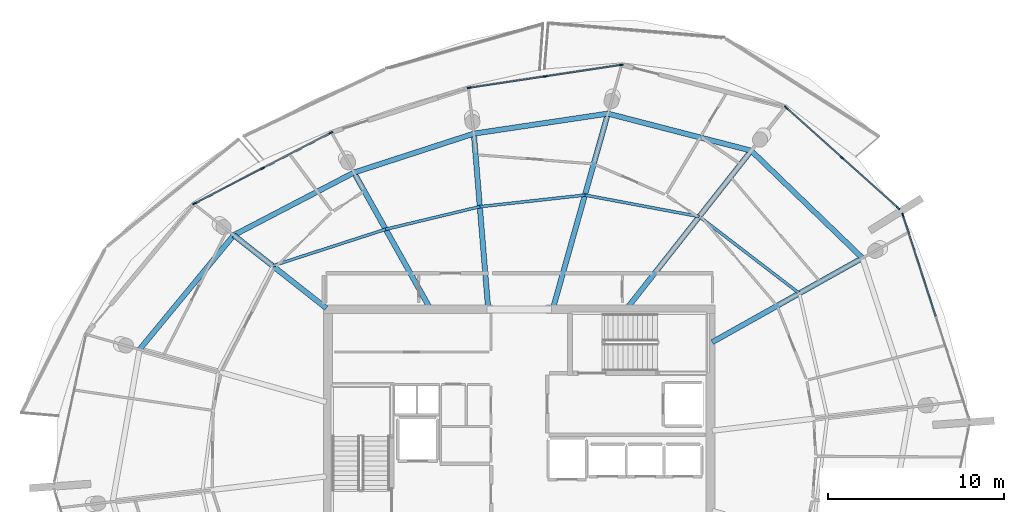
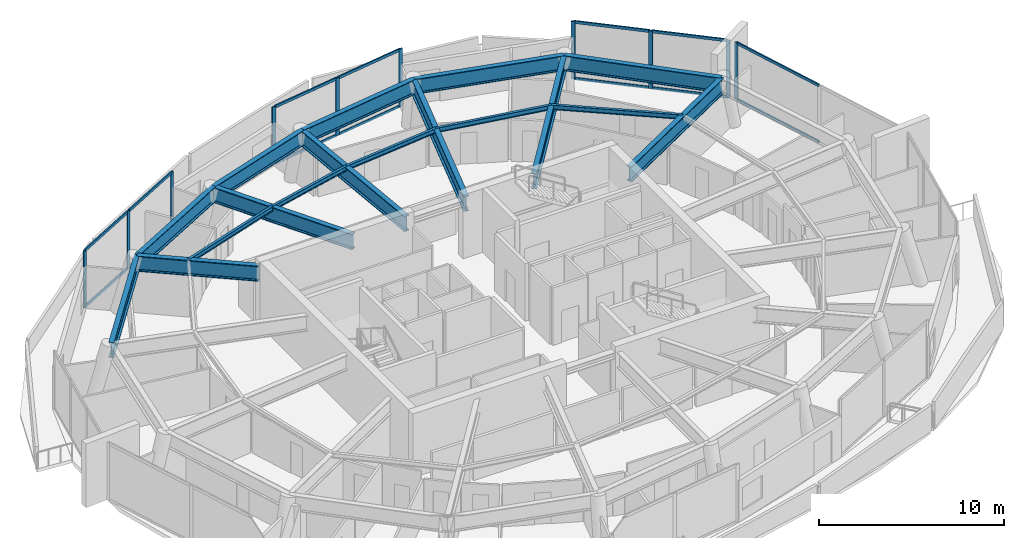
# One storey, part 7 of 19: 24 members, 17 beams, 4 elements without a shape of their own.
"""IFC4 building model written with IfcOpenShell, lengths in metres."""

from ifc_helpers import new_model, si_unit, direction, frame, origin, origin_2d, place, context, subcontext, project, spatial, rectangle, i_section, extrude, material, layer, layer_set, material_profile, profile_set, type_object, element, aggregate, save


model = new_model("IFC4")

# Units and contexts
model_context = context("Model", 3, precision=1e-05, world=origin(), true_north=direction((0.0, 1.0)))
body_context = subcontext(model_context, "Body", "Model", "MODEL_VIEW")
ifc_project = project(units=[si_unit("LENGTHUNIT", "METRE"), si_unit("AREAUNIT", "SQUARE_METRE"), si_unit("VOLUMEUNIT", "CUBIC_METRE"), si_unit("PLANEANGLEUNIT", "RADIAN"), si_unit("MASSUNIT", "GRAM", prefix="KILO")], contexts=[model_context])

# Site, building, storey
site_placement = place(None, origin())
site = spatial("IfcSite", under=ifc_project, at=site_placement, CompositionType="ELEMENT")
building_placement = place(site_placement, origin())
building = spatial("IfcBuilding", under=site, at=building_placement, Name="Kazma Halo Residences", CompositionType="ELEMENT")
storey_placement = place(building_placement, frame((0.0, 0.0, 347.300048828125)))
storey = spatial("IfcBuildingStorey", under=building, at=storey_placement, Name="L87", CompositionType="ELEMENT", Elevation=347.300048828125)

# Beams
ifc_material_1 = material(Name="Steel S355", Category="steel")
ifc_material_profile_1 = material_profile(ifc_material_1, i_section(OverallWidth=0.1650390625, OverallDepth=0.31005859375, WebThickness=0.005859375, FlangeThickness=0.009765625, FilletRadius=0.011962890625, at=origin_2d()), Name="W310x38.7")
ifc_profile_set_1 = profile_set([ifc_material_profile_1], Name="Steel S355")
beam_type_1 = type_object("IfcBeamType", Name="BM-SEC-W310B", PredefinedType="JOIST", material=ifc_profile_set_1)
beam_1_placement = place(storey_placement, frame((64.353515625, 51.158447265625, 3.64501953125), z_axis=(-0.793314295729, 0.608812309494, 0.0), x_axis=(-0.608812309494, -0.793314295729, 0.0)))
element("IfcBeam", 1, at=beam_1_placement, inside=storey, type_object=beam_type_1, Name="L87 circumferential floor joist 01", PredefinedType="JOIST", context=body_context, shape_type="SweptSolid", body=[
    extrude(i_section(OverallWidth=0.1650390625, OverallDepth=0.31005859375, WebThickness=0.005859375, FlangeThickness=0.009765625, FilletRadius=0.011962890625, at=origin_2d()), origin(), (0.0, 0.0, 1.0), 7.17333984375),
])
beam_2_placement = place(storey_placement, frame((58.662841796875, 55.525634765625, 3.64501953125), z_axis=(-0.982768028721, 0.184843181435, 0.0), x_axis=(-0.184843181435, -0.982768028721, 0.0)))
element("IfcBeam", 2, at=beam_2_placement, inside=storey, type_object=beam_type_1, Name="L87 circumferential floor joist 02", PredefinedType="JOIST", context=body_context, shape_type="SweptSolid", body=[
    extrude(i_section(OverallWidth=0.1650390625, OverallDepth=0.31005859375, WebThickness=0.005859375, FlangeThickness=0.009765625, FilletRadius=0.011962890625, at=origin_2d()), origin(), (0.0, 0.0, 1.0), 6.6171875),
])
beam_3_placement = place(storey_placement, frame((52.15966796875, 56.748779296875, 3.64501953125), z_axis=(-0.993955293014, -0.109785588714, 0.0), x_axis=(0.109785588714, -0.993955293014, 0.0)))
element("IfcBeam", 3, at=beam_3_placement, inside=storey, type_object=beam_type_1, Name="L87 circumferential floor joist 03", PredefinedType="JOIST", context=body_context, shape_type="SweptSolid", body=[
    extrude(i_section(OverallWidth=0.1650390625, OverallDepth=0.31005859375, WebThickness=0.005859375, FlangeThickness=0.009765625, FilletRadius=0.011962890625, at=origin_2d()), origin(), (0.0, 0.0, 1.0), 6.015380859375),
])
beam_4_placement = place(storey_placement, frame((46.1806640625, 56.08837890625, 3.64501953125), z_axis=(-0.972370386067, -0.233443424194, 0.0), x_axis=(0.233443424194, -0.972370386067, 0.0)))
element("IfcBeam", 4, at=beam_4_placement, inside=storey, type_object=beam_type_1, Name="L87 circumferential floor joist 04", PredefinedType="JOIST", context=body_context, shape_type="SweptSolid", body=[
    extrude(i_section(OverallWidth=0.1650390625, OverallDepth=0.31005859375, WebThickness=0.005859375, FlangeThickness=0.009765625, FilletRadius=0.011962890625, at=origin_2d()), origin(), (0.0, 0.0, 1.0), 5.503173828125),
])
beam_5_placement = place(storey_placement, frame((40.82958984375, 54.8037109375, 3.64501953125), z_axis=(-0.951532506418, -0.307548190094, 0.0), x_axis=(0.307548190094, -0.951532506418, 0.0)))
element("IfcBeam", 5, at=beam_5_placement, inside=storey, type_object=beam_type_1, Name="L87 circumferential floor joist 05", PredefinedType="JOIST", context=body_context, shape_type="SweptSolid", body=[
    extrude(i_section(OverallWidth=0.1650390625, OverallDepth=0.31005859375, WebThickness=0.005859375, FlangeThickness=0.009765625, FilletRadius=0.011962890625, at=origin_2d()), origin(), (0.0, 0.0, 1.0), 6.760986328125),
])
ifc_material_profile_2 = material_profile(ifc_material_1, i_section(OverallWidth=0.302001953125, OverallDepth=1.01806640625, WebThickness=0.021484375, FlangeThickness=0.049072265625, FilletRadius=0.028076171875, at=origin_2d()), Name="W1000x443")
ifc_profile_set_2 = profile_set([ifc_material_profile_2], Name="Steel S355")
beam_type_2 = type_object("IfcBeamType", Name="BM-TRANS-W1000A", PredefinedType="BEAM", material=ifc_profile_set_2)
beam_6_placement = place(storey_placement, frame((59.39990234375, 48.38427734375, 3.291015625), z_axis=(0.872500487018, 0.488613241894, 0.0), x_axis=(-0.488613241894, 0.872500487018, 0.0)))
element("IfcBeam", 6, at=beam_6_placement, inside=storey, type_object=beam_type_2, Name="L87 podium radial transfer girder 01", PredefinedType="BEAM", context=body_context, shape_type="SweptSolid", body=[
    extrude(i_section(OverallWidth=0.302001953125, OverallDepth=1.01806640625, WebThickness=0.021484375, FlangeThickness=0.049072265625, FilletRadius=0.028076171875, at=origin_2d()), origin(), (0.0, 0.0, 1.0), 9.788818359375),
])
beam_7_placement = place(storey_placement, frame((54.58251953125, 50.35009765625, 3.291015625), z_axis=(0.619100773028, 0.785311551447, 0.0), x_axis=(-0.785311551447, 0.619100773028, 0.0)))
element("IfcBeam", 7, at=beam_7_placement, inside=storey, type_object=beam_type_2, Name="L87 podium radial transfer girder 02", PredefinedType="BEAM", context=body_context, shape_type="SweptSolid", body=[
    extrude(i_section(OverallWidth=0.302001953125, OverallDepth=1.01806640625, WebThickness=0.021484375, FlangeThickness=0.049072265625, FilletRadius=0.028076171875, at=origin_2d()), origin(), (0.0, 0.0, 1.0), 11.363037109375),
])
beam_8_placement = place(storey_placement, frame((50.35498046875, 50.35009765625, 3.291015625), z_axis=(0.271433859027, 0.962457095238, 0.0), x_axis=(-0.962457095238, 0.271433859027, 0.0)))
element("IfcBeam", 8, at=beam_8_placement, inside=storey, type_object=beam_type_2, Name="L87 podium radial transfer girder 03", PredefinedType="BEAM", context=body_context, shape_type="SweptSolid", body=[
    extrude(i_section(OverallWidth=0.302001953125, OverallDepth=1.01806640625, WebThickness=0.021484375, FlangeThickness=0.049072265625, FilletRadius=0.028076171875, at=origin_2d()), origin(), (0.0, 0.0, 1.0), 11.462646484375),
])
beam_9_placement = place(storey_placement, frame((46.64990234375, 50.35009765625, 3.291015625), z_axis=(-0.081506605081, 0.996672801539, 0.0), x_axis=(-0.996672801539, -0.081506605081, 0.0)))
element("IfcBeam", 9, at=beam_9_placement, inside=storey, type_object=beam_type_2, Name="L87 podium radial transfer girder 04", PredefinedType="BEAM", context=body_context, shape_type="SweptSolid", body=[
    extrude(i_section(OverallWidth=0.302001953125, OverallDepth=1.01806640625, WebThickness=0.021484375, FlangeThickness=0.049072265625, FilletRadius=0.028076171875, at=origin_2d()), origin(), (0.0, 0.0, 1.0), 9.926513671875),
])
beam_10_placement = place(storey_placement, frame((43.32373046875, 50.35009765625, 3.291015625), z_axis=(-0.488621952621, 0.872495608824, 0.0), x_axis=(-0.872495608824, -0.488621952621, 0.0)))
element("IfcBeam", 10, at=beam_10_placement, inside=storey, type_object=beam_type_2, Name="L87 podium radial transfer girder 05", PredefinedType="BEAM", context=body_context, shape_type="SweptSolid", body=[
    extrude(i_section(OverallWidth=0.302001953125, OverallDepth=1.01806640625, WebThickness=0.021484375, FlangeThickness=0.049072265625, FilletRadius=0.028076171875, at=origin_2d()), origin(), (0.0, 0.0, 1.0), 8.80078125),
])
beam_11_placement = place(storey_placement, frame((37.449951171875, 50.31689453125, 3.291015625), z_axis=(-0.785321596803, 0.619088030569, 0.0), x_axis=(-0.619088030569, -0.785321596803, 0.0)))
element("IfcBeam", 11, at=beam_11_placement, inside=storey, type_object=beam_type_2, Name="L87 podium radial transfer girder 06", PredefinedType="BEAM", context=body_context, shape_type="SweptSolid", body=[
    extrude(i_section(OverallWidth=0.302001953125, OverallDepth=1.01806640625, WebThickness=0.021484375, FlangeThickness=0.049072265625, FilletRadius=0.028076171875, at=origin_2d()), origin(), (0.0, 0.0, 1.0), 6.704345703125),
])
ifc_material_profile_3 = material_profile(ifc_material_1, i_section(OverallWidth=0.300048828125, OverallDepth=1.0, WebThickness=0.01904296875, FlangeThickness=0.0400390625, FilletRadius=0.02587890625, at=origin_2d()), Name="W1000x371")
ifc_profile_set_3 = profile_set([ifc_material_profile_3], Name="Steel S355")
beam_type_3 = type_object("IfcBeamType", Name="BM-TRANS-W1000B", PredefinedType="BEAM", material=ifc_profile_set_3)
beam_12_placement = place(storey_placement, frame((67.940673828125, 53.167236328125, 3.300048828125), z_axis=(-0.719330630477, 0.694667866003, 0.0), x_axis=(-0.694667866003, -0.719330630477, 0.0)))
element("IfcBeam", 12, at=beam_12_placement, inside=storey, type_object=beam_type_3, Name="L87 perimeter ring beam 01", PredefinedType="BEAM", context=body_context, shape_type="SweptSolid", body=[
    extrude(i_section(OverallWidth=0.300048828125, OverallDepth=1.0, WebThickness=0.01904296875, FlangeThickness=0.0400390625, FilletRadius=0.02587890625, at=origin_2d()), origin(), (0.0, 0.0, 1.0), 8.79052734375),
])
beam_13_placement = place(storey_placement, frame((61.617431640625, 59.273681640625, 3.300048828125), z_axis=(-0.968129821283, 0.250448895271, 0.0), x_axis=(-0.250448895271, -0.968129821283, 0.0)))
element("IfcBeam", 13, at=beam_13_placement, inside=storey, type_object=beam_type_3, Name="L87 perimeter ring beam 02", PredefinedType="BEAM", context=body_context, shape_type="SweptSolid", body=[
    extrude(i_section(OverallWidth=0.300048828125, OverallDepth=1.0, WebThickness=0.01904296875, FlangeThickness=0.0400390625, FilletRadius=0.02587890625, at=origin_2d()), origin(), (0.0, 0.0, 1.0), 8.41943359375),
])
beam_14_placement = place(storey_placement, frame((53.46630859375, 61.38232421875, 3.300048828125), z_axis=(-0.989034152337, -0.147686984904, 0.0), x_axis=(0.147686984904, -0.989034152337, 0.0)))
element("IfcBeam", 14, at=beam_14_placement, inside=storey, type_object=beam_type_3, Name="L87 perimeter ring beam 03", PredefinedType="BEAM", context=body_context, shape_type="SweptSolid", body=[
    extrude(i_section(OverallWidth=0.300048828125, OverallDepth=1.0, WebThickness=0.01904296875, FlangeThickness=0.0400390625, FilletRadius=0.02587890625, at=origin_2d()), origin(), (0.0, 0.0, 1.0), 7.7099609375),
])
beam_15_placement = place(storey_placement, frame((45.8408203125, 60.24365234375, 3.300048828125), z_axis=(-0.951067102, -0.308984413026, 0.0), x_axis=(0.308984413026, -0.951067102, 0.0)))
element("IfcBeam", 15, at=beam_15_placement, inside=storey, type_object=beam_type_3, Name="L87 perimeter ring beam 04", PredefinedType="BEAM", context=body_context, shape_type="SweptSolid", body=[
    extrude(i_section(OverallWidth=0.300048828125, OverallDepth=1.0, WebThickness=0.01904296875, FlangeThickness=0.0400390625, FilletRadius=0.02587890625, at=origin_2d()), origin(), (0.0, 0.0, 1.0), 7.168212890625),
])
beam_16_placement = place(storey_placement, frame((39.0234375, 58.02880859375, 3.300048828125), z_axis=(-0.886940838721, -0.461883046461, 0.0), x_axis=(0.461883046461, -0.886940838721, 0.0)))
element("IfcBeam", 16, at=beam_16_placement, inside=storey, type_object=beam_type_3, Name="L87 perimeter ring beam 05", PredefinedType="BEAM", context=body_context, shape_type="SweptSolid", body=[
    extrude(i_section(OverallWidth=0.300048828125, OverallDepth=1.0, WebThickness=0.01904296875, FlangeThickness=0.0400390625, FilletRadius=0.02587890625, at=origin_2d()), origin(), (0.0, 0.0, 1.0), 7.71044921875),
])
beam_17_placement = place(storey_placement, frame((32.184814453125, 54.467529296875, 3.300048828125), z_axis=(-0.636005014199, -0.77168492399, 0.0), x_axis=(0.77168492399, -0.636005014199, 0.0)))
element("IfcBeam", 17, at=beam_17_placement, inside=storey, type_object=beam_type_3, Name="L87 perimeter ring beam 06", PredefinedType="BEAM", context=body_context, shape_type="SweptSolid", body=[
    extrude(i_section(OverallWidth=0.300048828125, OverallDepth=1.0, WebThickness=0.01904296875, FlangeThickness=0.0400390625, FilletRadius=0.02587890625, at=origin_2d()), origin(), (0.0, 0.0, 1.0), 8.41943359375),
])

# Curtain wall, members
ifc_material_2 = material(Name="Aluminium AW-6063 T6 and Triple-Silver Low-E Glass", Category="aluminium")
ifc_layer = layer(ifc_material_2, 0.239990234375)
ifc_layer_set = layer_set([ifc_layer], Name="Aluminium AW-6063 T6 and Triple-Silver Low-E Glass")
curtain_wall_type = type_object("IfcCurtainWallType", Name="CW-SYS-6", PredefinedType="NOTDEFINED", material=ifc_layer_set)
curtain_wall_1_placement = place(storey_placement, origin())
curtain_wall_1 = element("IfcCurtainWall", 18, at=curtain_wall_1_placement, inside=storey, type_object=curtain_wall_type, Name="L87 unitised curtain wall B01", PredefinedType="NOTDEFINED")
ifc_material_3 = material(Name="Aluminium AW-6063 T6", Category="aluminium")
ifc_material_profile_4 = material_profile(ifc_material_3, rectangle(XDim=0.080078125, YDim=0.239990234375, at=origin_2d()), Name="CWM-80x240")
ifc_profile_set_4 = profile_set([ifc_material_profile_4], Name="Aluminium AW-6063 T6")
member_type_1 = type_object("IfcMemberType", Name="CW-SYS-6-MUL", PredefinedType="MULLION", material=ifc_profile_set_4)
member_1_placement = place(storey_placement, frame((69.968017578125, 56.013916015625, 0.0), z_axis=(0.0, 0.0, 1.0), x_axis=(-0.667757559118, -0.744378829791, 0.0)))
member_1 = element("IfcMember", 19, at=member_1_placement, type_object=member_type_1, Name="CWS-6 mullion 1", PredefinedType="MULLION", context=body_context, shape_type="SweptSolid", body=[
    extrude(rectangle(XDim=0.080078125, YDim=0.239990234375, at=origin_2d()), origin(), (0.0, 0.0, 1.0), 3.800048828125),
])
member_2_placement = place(storey_placement, frame((66.78466796875, 58.86962890625, 0.0), z_axis=(0.0, 0.0, 1.0), x_axis=(-0.667757559118, -0.744378829791, 0.0)))
member_2 = element("IfcMember", 20, at=member_2_placement, type_object=member_type_1, Name="CWS-6 mullion 2", PredefinedType="MULLION", context=body_context, shape_type="SweptSolid", body=[
    extrude(rectangle(XDim=0.080078125, YDim=0.239990234375, at=origin_2d()), origin(), (0.0, 0.0, 1.0), 3.800048828125),
])
member_3_placement = place(storey_placement, frame((63.60107421875, 61.7255859375, 0.0), z_axis=(0.0, 0.0, 1.0), x_axis=(-0.667757559118, -0.744378829791, 0.0)))
member_3 = element("IfcMember", 21, at=member_3_placement, type_object=member_type_1, Name="CWS-6 mullion 3", PredefinedType="MULLION", context=body_context, shape_type="SweptSolid", body=[
    extrude(rectangle(XDim=0.080078125, YDim=0.239990234375, at=origin_2d()), origin(), (0.0, 0.0, 1.0), 3.800048828125),
])

curtain_wall_2_placement = place(storey_placement, origin())
curtain_wall_2 = element("IfcCurtainWall", 22, at=curtain_wall_2_placement, inside=storey, type_object=curtain_wall_type, Name="L87 unitised curtain wall B03", PredefinedType="NOTDEFINED")
member_4_placement = place(storey_placement, frame((54.20849609375, 64.14794921875, 0.0), z_axis=(0.0, 0.0, 1.0), x_axis=(0.148870876743, -0.988856643836, 0.0)))
member_4 = element("IfcMember", 23, at=member_4_placement, type_object=member_type_1, Name="CWS-6 mullion 1", PredefinedType="MULLION", context=body_context, shape_type="SweptSolid", body=[
    extrude(rectangle(XDim=0.080078125, YDim=0.239990234375, at=origin_2d()), origin(), (0.0, 0.0, 1.0), 3.800048828125),
])
member_5_placement = place(storey_placement, frame((49.890625, 63.497802734375, 0.0), z_axis=(0.0, 0.0, 1.0), x_axis=(0.148870876743, -0.988856643836, 0.0)))
member_5 = element("IfcMember", 24, at=member_5_placement, type_object=member_type_1, Name="CWS-6 mullion 2", PredefinedType="MULLION", context=body_context, shape_type="SweptSolid", body=[
    extrude(rectangle(XDim=0.080078125, YDim=0.239990234375, at=origin_2d()), origin(), (0.0, 0.0, 1.0), 3.800048828125),
])
member_6_placement = place(storey_placement, frame((45.57275390625, 62.84765625, 0.0), z_axis=(0.0, 0.0, 1.0), x_axis=(0.148870876743, -0.988856643836, 0.0)))
member_6 = element("IfcMember", 25, at=member_6_placement, type_object=member_type_1, Name="CWS-6 mullion 3", PredefinedType="MULLION", context=body_context, shape_type="SweptSolid", body=[
    extrude(rectangle(XDim=0.080078125, YDim=0.239990234375, at=origin_2d()), origin(), (0.0, 0.0, 1.0), 3.800048828125),
])

curtain_wall_3_placement = place(storey_placement, origin())
curtain_wall_3 = element("IfcCurtainWall", 26, at=curtain_wall_3_placement, inside=storey, type_object=curtain_wall_type, Name="L87 unitised curtain wall B05", PredefinedType="NOTDEFINED")
member_7_placement = place(storey_placement, frame((37.709716796875, 60.29296875, 0.0), z_axis=(0.0, 0.0, 1.0), x_axis=(0.460796020861, -0.887506071618, 0.0)))
member_7 = element("IfcMember", 27, at=member_7_placement, type_object=member_type_1, Name="CWS-6 mullion 1", PredefinedType="MULLION", context=body_context, shape_type="SweptSolid", body=[
    extrude(rectangle(XDim=0.080078125, YDim=0.239990234375, at=origin_2d()), origin(), (0.0, 0.0, 1.0), 3.800048828125),
])
member_8_placement = place(storey_placement, frame((33.83447265625, 58.28076171875, 0.0), z_axis=(0.0, 0.0, 1.0), x_axis=(0.460796020861, -0.887506071618, 0.0)))
member_8 = element("IfcMember", 28, at=member_8_placement, type_object=member_type_1, Name="CWS-6 mullion 2", PredefinedType="MULLION", context=body_context, shape_type="SweptSolid", body=[
    extrude(rectangle(XDim=0.080078125, YDim=0.239990234375, at=origin_2d()), origin(), (0.0, 0.0, 1.0), 3.800048828125),
])
member_9_placement = place(storey_placement, frame((29.958984375, 56.268798828125, 0.0), z_axis=(0.0, 0.0, 1.0), x_axis=(0.460796020861, -0.887506071618, 0.0)))
member_9 = element("IfcMember", 29, at=member_9_placement, type_object=member_type_1, Name="CWS-6 mullion 3", PredefinedType="MULLION", context=body_context, shape_type="SweptSolid", body=[
    extrude(rectangle(XDim=0.080078125, YDim=0.239990234375, at=origin_2d()), origin(), (0.0, 0.0, 1.0), 3.800048828125),
])

# Curtain wall, member
curtain_wall_4_placement = place(storey_placement, origin())
curtain_wall_4 = element("IfcCurtainWall", 30, at=curtain_wall_4_placement, inside=storey, type_object=curtain_wall_type, Name="L87 unitised curtain wall B16", PredefinedType="NOTDEFINED")
member_10_placement = place(storey_placement, frame((70.245849609375, 55.61328125, 0.0), z_axis=(0.0, 0.0, 1.0), x_axis=(-0.951055886462, -0.309018932797, 0.0)))
member_10 = element("IfcMember", 31, at=member_10_placement, type_object=member_type_1, Name="CWS-6 mullion 3", PredefinedType="MULLION", context=body_context, shape_type="SweptSolid", body=[
    extrude(rectangle(XDim=0.080078125, YDim=0.239990234375, at=origin_2d()), origin(), (0.0, 0.0, 1.0), 3.800048828125),
])

# Member
ifc_material_profile_5 = material_profile(ifc_material_3, rectangle(XDim=0.080078125, YDim=0.179931640625, at=origin_2d()), Name="CWT-80x180")
ifc_profile_set_5 = profile_set([ifc_material_profile_5], Name="Aluminium AW-6063 T6")
member_type_2 = type_object("IfcMemberType", Name="CW-SYS-6-TRN", PredefinedType="USERDEFINED", material=ifc_profile_set_5)
member_11_placement = place(storey_placement, frame((69.938232421875, 56.04052734375, 0.0400390625), z_axis=(-0.744349048391, 0.66779075627, 0.0), x_axis=(-0.66779075627, -0.744349048391, 0.0)))
member_11 = element("IfcMember", 32, at=member_11_placement, type_object=member_type_2, Name="CWS-6 transom 1.1", ObjectType="TRANSOM", PredefinedType="USERDEFINED", context=body_context, shape_type="SweptSolid", body=[
    extrude(rectangle(XDim=0.080078125, YDim=0.179931640625, at=origin_2d()), origin(), (0.0, 0.0, 1.0), 4.19677734375),
])

member_12_placement = place(storey_placement, frame((69.938232421875, 56.04052734375, 3.760009765625), z_axis=(-0.744349048391, 0.66779075627, 0.0), x_axis=(-0.66779075627, -0.744349048391, 0.0)))
member_12 = element("IfcMember", 33, at=member_12_placement, type_object=member_type_2, Name="CWS-6 transom 1.2", ObjectType="TRANSOM", PredefinedType="USERDEFINED", context=body_context, shape_type="SweptSolid", body=[
    extrude(rectangle(XDim=0.080078125, YDim=0.179931640625, at=origin_2d()), origin(), (0.0, 0.0, 1.0), 4.19677734375),
])

member_13_placement = place(storey_placement, frame((66.7548828125, 58.896484375, 0.0400390625), z_axis=(-0.744403905463, 0.667729605103, 0.0), x_axis=(-0.667729605103, -0.744403905463, 0.0)))
member_13 = element("IfcMember", 34, at=member_13_placement, type_object=member_type_2, Name="CWS-6 transom 2.1", ObjectType="TRANSOM", PredefinedType="USERDEFINED", context=body_context, shape_type="SweptSolid", body=[
    extrude(rectangle(XDim=0.080078125, YDim=0.179931640625, at=origin_2d()), origin(), (0.0, 0.0, 1.0), 4.19677734375),
])

member_14_placement = place(storey_placement, frame((66.7548828125, 58.896484375, 3.760009765625), z_axis=(-0.744403905463, 0.667729605103, 0.0), x_axis=(-0.667729605103, -0.744403905463, 0.0)))
member_14 = element("IfcMember", 35, at=member_14_placement, type_object=member_type_2, Name="CWS-6 transom 2.2", ObjectType="TRANSOM", PredefinedType="USERDEFINED", context=body_context, shape_type="SweptSolid", body=[
    extrude(rectangle(XDim=0.080078125, YDim=0.179931640625, at=origin_2d()), origin(), (0.0, 0.0, 1.0), 4.19677734375),
])

aggregate(curtain_wall_1, [member_1, member_2, member_3, member_11, member_12, member_13, member_14])

member_15_placement = place(storey_placement, frame((54.1689453125, 64.141845703125, 0.0400390625), z_axis=(-0.988855159078, -0.14888073873, 0.0), x_axis=(0.14888073873, -0.988855159078, 0.0)))
member_15 = element("IfcMember", 36, at=member_15_placement, type_object=member_type_2, Name="CWS-6 transom 1.1", ObjectType="TRANSOM", PredefinedType="USERDEFINED", context=body_context, shape_type="SweptSolid", body=[
    extrude(rectangle(XDim=0.080078125, YDim=0.179931640625, at=origin_2d()), origin(), (0.0, 0.0, 1.0), 4.28662109375),
])

member_16_placement = place(storey_placement, frame((54.1689453125, 64.141845703125, 3.760009765625), z_axis=(-0.988855159078, -0.14888073873, 0.0), x_axis=(0.14888073873, -0.988855159078, 0.0)))
member_16 = element("IfcMember", 37, at=member_16_placement, type_object=member_type_2, Name="CWS-6 transom 1.2", ObjectType="TRANSOM", PredefinedType="USERDEFINED", context=body_context, shape_type="SweptSolid", body=[
    extrude(rectangle(XDim=0.080078125, YDim=0.179931640625, at=origin_2d()), origin(), (0.0, 0.0, 1.0), 4.28662109375),
])

member_17_placement = place(storey_placement, frame((49.85107421875, 63.491943359375, 0.0400390625), z_axis=(-0.988855159078, -0.14888073873, 0.0), x_axis=(0.14888073873, -0.988855159078, 0.0)))
member_17 = element("IfcMember", 38, at=member_17_placement, type_object=member_type_2, Name="CWS-6 transom 2.1", ObjectType="TRANSOM", PredefinedType="USERDEFINED", context=body_context, shape_type="SweptSolid", body=[
    extrude(rectangle(XDim=0.080078125, YDim=0.179931640625, at=origin_2d()), origin(), (0.0, 0.0, 1.0), 4.28662109375),
])

member_18_placement = place(storey_placement, frame((49.85107421875, 63.491943359375, 3.760009765625), z_axis=(-0.988855159078, -0.14888073873, 0.0), x_axis=(0.14888073873, -0.988855159078, 0.0)))
member_18 = element("IfcMember", 39, at=member_18_placement, type_object=member_type_2, Name="CWS-6 transom 2.2", ObjectType="TRANSOM", PredefinedType="USERDEFINED", context=body_context, shape_type="SweptSolid", body=[
    extrude(rectangle(XDim=0.080078125, YDim=0.179931640625, at=origin_2d()), origin(), (0.0, 0.0, 1.0), 4.28662109375),
])

aggregate(curtain_wall_2, [member_4, member_5, member_6, member_15, member_16, member_17, member_18])

member_19_placement = place(storey_placement, frame((37.67431640625, 60.2744140625, 0.0400390625), z_axis=(-0.88752339951, -0.460762645321, 0.0), x_axis=(0.460762645321, -0.88752339951, 0.0)))
member_19 = element("IfcMember", 40, at=member_19_placement, type_object=member_type_2, Name="CWS-6 transom 1.1", ObjectType="TRANSOM", PredefinedType="USERDEFINED", context=body_context, shape_type="SweptSolid", body=[
    extrude(rectangle(XDim=0.080078125, YDim=0.179931640625, at=origin_2d()), origin(), (0.0, 0.0, 1.0), 4.28662109375),
])

member_20_placement = place(storey_placement, frame((37.67431640625, 60.2744140625, 3.760009765625), z_axis=(-0.88752339951, -0.460762645321, 0.0), x_axis=(0.460762645321, -0.88752339951, 0.0)))
member_20 = element("IfcMember", 41, at=member_20_placement, type_object=member_type_2, Name="CWS-6 transom 1.2", ObjectType="TRANSOM", PredefinedType="USERDEFINED", context=body_context, shape_type="SweptSolid", body=[
    extrude(rectangle(XDim=0.080078125, YDim=0.179931640625, at=origin_2d()), origin(), (0.0, 0.0, 1.0), 4.28662109375),
])

member_21_placement = place(storey_placement, frame((33.798828125, 58.262451171875, 0.0400390625), z_axis=(-0.887488013571, -0.4608307995, 0.0), x_axis=(0.4608307995, -0.887488013571, 0.0)))
member_21 = element("IfcMember", 42, at=member_21_placement, type_object=member_type_2, Name="CWS-6 transom 2.1", ObjectType="TRANSOM", PredefinedType="USERDEFINED", context=body_context, shape_type="SweptSolid", body=[
    extrude(rectangle(XDim=0.080078125, YDim=0.179931640625, at=origin_2d()), origin(), (0.0, 0.0, 1.0), 4.286376953125),
])

member_22_placement = place(storey_placement, frame((33.798828125, 58.262451171875, 3.760009765625), z_axis=(-0.887488013571, -0.4608307995, 0.0), x_axis=(0.4608307995, -0.887488013571, 0.0)))
member_22 = element("IfcMember", 43, at=member_22_placement, type_object=member_type_2, Name="CWS-6 transom 2.2", ObjectType="TRANSOM", PredefinedType="USERDEFINED", context=body_context, shape_type="SweptSolid", body=[
    extrude(rectangle(XDim=0.080078125, YDim=0.179931640625, at=origin_2d()), origin(), (0.0, 0.0, 1.0), 4.286376953125),
])

aggregate(curtain_wall_3, [member_7, member_8, member_9, member_19, member_20, member_21, member_22])

member_23_placement = place(storey_placement, frame((72.110107421875, 49.8759765625, 0.0400390625), z_axis=(-0.309019743831, 0.951055622938, 0.0), x_axis=(-0.951055622938, -0.309019743831, 0.0)))
member_23 = element("IfcMember", 44, at=member_23_placement, type_object=member_type_2, Name="CWS-6 transom 2.1", ObjectType="TRANSOM", PredefinedType="USERDEFINED", context=body_context, shape_type="SweptSolid", body=[
    extrude(rectangle(XDim=0.080078125, YDim=0.179931640625, at=origin_2d()), origin(), (0.0, 0.0, 1.0), 5.992431640625),
])

member_24_placement = place(storey_placement, frame((72.110107421875, 49.8759765625, 3.760009765625), z_axis=(-0.309019743831, 0.951055622938, 0.0), x_axis=(-0.951055622938, -0.309019743831, 0.0)))
member_24 = element("IfcMember", 45, at=member_24_placement, type_object=member_type_2, Name="CWS-6 transom 2.2", ObjectType="TRANSOM", PredefinedType="USERDEFINED", context=body_context, shape_type="SweptSolid", body=[
    extrude(rectangle(XDim=0.080078125, YDim=0.179931640625, at=origin_2d()), origin(), (0.0, 0.0, 1.0), 5.992431640625),
])

aggregate(curtain_wall_4, [member_10, member_23, member_24])

save(model, "model.ifc")
